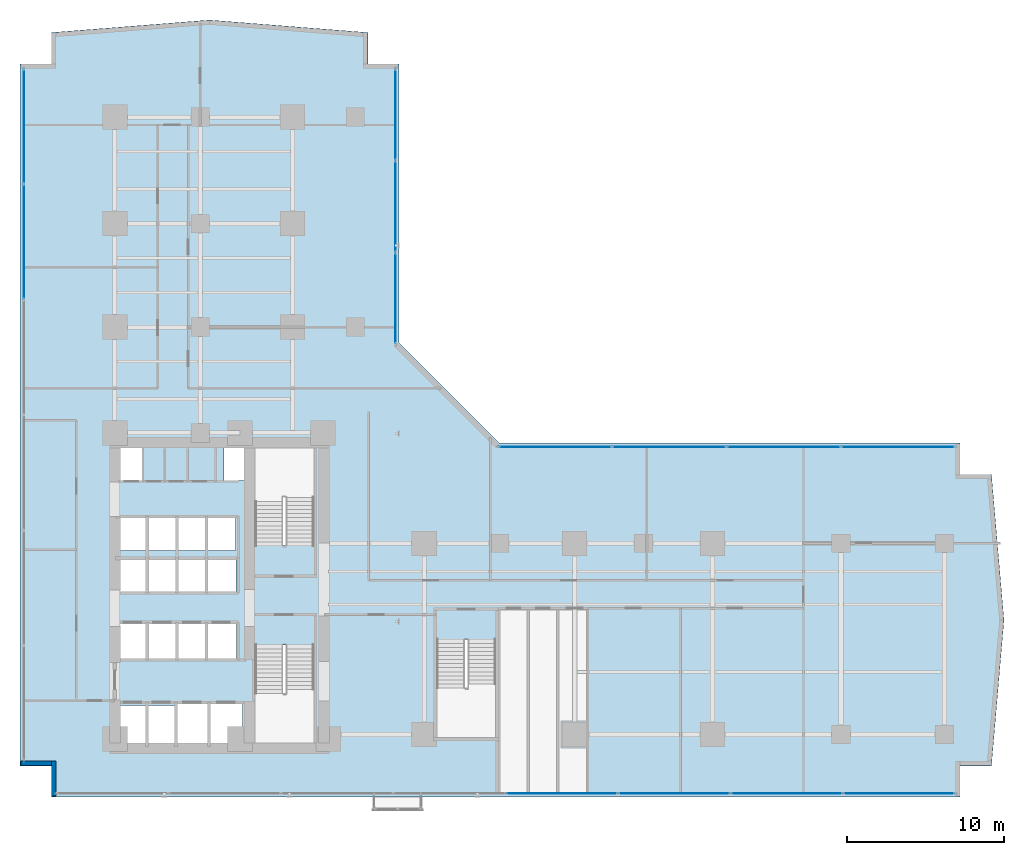
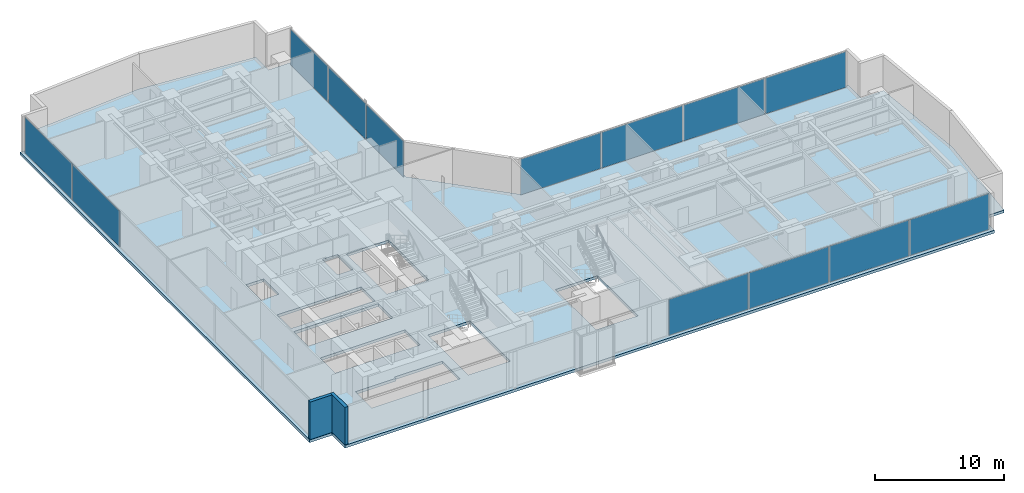
# One storey, part 21 of 28: 13 plates, 2 walls, 1 slab, 4 elements without a shape of their own.
"""IFC4 building model written with IfcOpenShell, lengths in metres."""

from ifc_helpers import new_model, si_unit, direction, frame, frame_2d, origin, origin_with_axes, origin_2d, place, context, subcontext, project, spatial, polyline, rectangle, outline, extrude, source, transform, mapped, material, layer, layer_set, type_object, element, aggregate, save


model = new_model("IFC4")

# Units and contexts
model_context = context("Model", 3, precision=1e-05, world=origin(), true_north=direction((0.0, 1.0)))
body_context = subcontext(model_context, "Body", "Model", "MODEL_VIEW")
ifc_project = project(units=[si_unit("LENGTHUNIT", "METRE"), si_unit("AREAUNIT", "SQUARE_METRE"), si_unit("VOLUMEUNIT", "CUBIC_METRE"), si_unit("PLANEANGLEUNIT", "RADIAN"), si_unit("MASSUNIT", "GRAM", prefix="KILO")], contexts=[model_context])

# Site, building, storey
site_placement = place(None, origin())
site = spatial("IfcSite", under=ifc_project, at=site_placement, CompositionType="ELEMENT")
building_placement = place(site_placement, origin())
building = spatial("IfcBuilding", under=site, at=building_placement, Name="Kolvaren Waterfront Exchange", CompositionType="ELEMENT")
storey_placement = place(building_placement, frame((0.0, 0.0, 75.199951171875)))
storey = spatial("IfcBuildingStorey", under=building, at=storey_placement, Name="L19", CompositionType="ELEMENT", Elevation=75.199951171875)

# Slab
ifc_material_1 = material(Name="Concrete C40/50", Category="concrete")
ifc_layer_1 = layer(ifc_material_1, 0.260009765625, Name="Concrete C40/50")
ifc_layer_set_1 = layer_set([ifc_layer_1], Name="Concrete C40/50")
slab_type = type_object("IfcSlabType", Name="STR-SLAB-260", PredefinedType="FLOOR", material=ifc_layer_set_1)
slab_placement = place(storey_placement, frame((0.0, 0.0, -0.260009765625)))
element("IfcSlab", 1, at=slab_placement, inside=storey, type_object=slab_type, Name="L19 structural floor slab", PredefinedType="FLOOR", context=body_context, shape_type="SweptSolid", body=[
    extrude(outline(polyline([(3.39990234375, 1.199951171875), (61.39990234375, 1.199951171875), (61.39990234375, 3.199951171875), (63.39990234375, 3.199951171875), (64.199951171875, 12.5), (63.39990234375, 21.800048828125), (61.39990234375, 21.800048828125), (61.39990234375, 23.800048828125), (32.0, 23.800048828125), (25.60009765625, 30.199951171875), (25.60009765625, 48.0), (23.60009765625, 48.0), (23.60009765625, 50.0), (13.5, 50.800048828125), (3.39990234375, 50.0), (3.39990234375, 48.0), (1.39990234375, 48.0), (1.39990234375, 3.199951171875), (3.39990234375, 3.199951171875), (3.39990234375, 1.199951171875)]), holes=[polyline([(11.320068359375, 7.260009765625), (15.610107421875, 7.260009765625), (15.610107421875, 4.5400390625), (7.719970703125, 4.5400390625), (7.719970703125, 7.06005859375), (11.320068359375, 7.06005859375), (11.320068359375, 7.260009765625)]), polyline([(20.159912109375, 4.64990234375), (16.39990234375, 4.64990234375), (16.39990234375, 10.89990234375), (20.159912109375, 10.89990234375), (20.159912109375, 4.64990234375)]), polyline([(31.760009765625, 5.0), (28.0, 5.0), (28.0, 11.25), (31.760009765625, 11.25), (31.760009765625, 5.0)]), polyline([(15.2099609375, 10.0400390625), (7.6201171875, 10.0400390625), (7.6201171875, 12.360107421875), (15.2099609375, 12.360107421875), (15.2099609375, 10.0400390625)]), polyline([(7.64501953125, 16.4599609375), (15.18505859375, 16.4599609375), (15.18505859375, 14.239990234375), (7.64501953125, 14.239990234375), (7.64501953125, 16.4599609375)]), polyline([(15.159912109375, 16.93994140625), (7.669921875, 16.93994140625), (7.669921875, 19.06005859375), (15.159912109375, 19.06005859375), (15.159912109375, 16.93994140625)]), polyline([(16.39990234375, 23.5), (20.159912109375, 23.5), (20.159912109375, 17.25), (16.39990234375, 17.25), (16.39990234375, 23.5)]), polyline([(7.60009765625, 23.780029296875), (9.179931640625, 23.780029296875), (9.179931640625, 21.419921875), (7.60009765625, 21.419921875), (7.60009765625, 23.780029296875)]), polyline([(15.800048828125, 23.780029296875), (15.800048828125, 21.419921875), (14.419921875, 21.419921875), (14.419921875, 23.780029296875), (15.800048828125, 23.780029296875)])]), origin(), (0.0, 0.0, 1.0), 0.260009765625),
])

# Curtain wall, plates
ifc_material_2 = material(Name="Anodised bronze aluminium 6063-T6", Category="aluminium")
ifc_layer_2 = layer(ifc_material_2, 0.219970703125, Name="Anodised bronze aluminium 6063-T6")
ifc_layer_set_2 = layer_set([ifc_layer_2], Name="Anodised bronze aluminium 6063-T6")
curtain_wall_type_1 = type_object("IfcCurtainWallType", Name="ARC-CW-SYS1", PredefinedType="USERDEFINED", material=ifc_layer_set_2)
curtain_wall_1_placement = place(storey_placement, origin())
curtain_wall_1 = element("IfcCurtainWall", 2, at=curtain_wall_1_placement, inside=storey, type_object=curtain_wall_type_1, Name="L19 stick curtain wall CW1 (CW-L19-S)", ObjectType="STICK CURTAIN WALL", PredefinedType="USERDEFINED")
ifc_material_3 = material(Name="Bronze solar control vision glass", Category="aluminium")
ifc_layer_3 = layer(ifc_material_3, 0.028076171875, Name="Bronze solar control vision glass")
ifc_layer_set_3 = layer_set([ifc_layer_3], Name="Bronze solar control vision glass")
plate_type_1 = type_object("IfcPlateType", Name="ARC-CWP-28", PredefinedType="CURTAIN_PANEL", material=ifc_layer_set_3)
shared_shape_1 = source(origin_with_axes(), body_context, "Body", "SweptSolid", [
    extrude(rectangle(XDim=7.054931640625, YDim=0.028076171875, at=origin_2d()), origin(), (0.0, 0.0, 1.0), 3.389892578125),
])
plate_1_placement = place(storey_placement, frame((57.492431640625, 1.43994140625, 0.0751953125), z_axis=(0.0, 0.0, 1.0), x_axis=(1.0, 0.0, 0.0)))
plate_1 = element("IfcPlate", 3, at=plate_1_placement, type_object=plate_type_1, Name="CW1 panel 8.1", PredefinedType="CURTAIN_PANEL", context=body_context, shape_type="MappedRepresentation", body=[
    mapped(shared_shape_1, transform((0.0, 0.0, 0.0), x_axis=(1.0, 0.0, 0.0), y_axis=(0.0, 1.0, 0.0), z_axis=(0.0, 0.0, 1.0), scale=1.0)),
])
shared_shape_2 = source(origin_with_axes(), body_context, "Body", "SweptSolid", [
    extrude(rectangle(XDim=7.094970703125, YDim=0.028076171875, at=origin_2d()), origin(), (0.0, 0.0, 1.0), 3.389892578125),
])
plate_2_placement = place(storey_placement, frame((35.987548828125, 1.43994140625, 0.0751953125), z_axis=(0.0, 0.0, 1.0), x_axis=(1.0, 0.0, 0.0)))
plate_2 = element("IfcPlate", 4, at=plate_2_placement, type_object=plate_type_1, Name="CW1 panel 5.1", PredefinedType="CURTAIN_PANEL", context=body_context, shape_type="MappedRepresentation", body=[
    mapped(shared_shape_2, transform((0.0, 0.0, 0.0), x_axis=(1.0, 0.0, 0.0), y_axis=(0.0, 1.0, 0.0), z_axis=(0.0, 0.0, 1.0), scale=1.0)),
])
plate_3_placement = place(storey_placement, frame((43.16259765625, 1.43994140625, 0.0751953125), z_axis=(0.0, 0.0, 1.0), x_axis=(1.0, 0.0, 0.0)))
plate_3 = element("IfcPlate", 5, at=plate_3_placement, type_object=plate_type_1, Name="CW1 panel 6.1", PredefinedType="CURTAIN_PANEL", context=body_context, shape_type="MappedRepresentation", body=[
    mapped(shared_shape_2, transform((0.0, 0.0, 0.0), x_axis=(1.0, 0.0, 0.0), y_axis=(0.0, 1.0, 0.0), z_axis=(0.0, 0.0, 1.0), scale=1.0)),
])
plate_4_placement = place(storey_placement, frame((50.33740234375, 1.43994140625, 0.0751953125), z_axis=(0.0, 0.0, 1.0), x_axis=(1.0, 0.0, 0.0)))
plate_4 = element("IfcPlate", 6, at=plate_4_placement, type_object=plate_type_1, Name="CW1 panel 7.1", PredefinedType="CURTAIN_PANEL", context=body_context, shape_type="MappedRepresentation", body=[
    mapped(shared_shape_2, transform((0.0, 0.0, 0.0), x_axis=(1.0, 0.0, 0.0), y_axis=(0.0, 1.0, 0.0), z_axis=(0.0, 0.0, 1.0), scale=1.0)),
])
aggregate(curtain_wall_1, [plate_2, plate_3, plate_4, plate_1])

ifc_material_4 = material(Name="Anodised aluminium 6063-T6", Category="aluminium")
ifc_layer_4 = layer(ifc_material_4, 0.219970703125, Name="Anodised aluminium 6063-T6")
ifc_layer_set_4 = layer_set([ifc_layer_4], Name="Anodised aluminium 6063-T6")
curtain_wall_type_2 = type_object("IfcCurtainWallType", Name="ARC-CW-SYS2", PredefinedType="USERDEFINED", material=ifc_layer_set_4)
curtain_wall_2_placement = place(storey_placement, origin())
curtain_wall_2 = element("IfcCurtainWall", 7, at=curtain_wall_2_placement, inside=storey, type_object=curtain_wall_type_2, Name="L19 stick curtain wall CW2 (CW-L19-W)", ObjectType="STICK CURTAIN WALL", PredefinedType="USERDEFINED")
ifc_material_5 = material(Name="Acoustic laminated vision glass", Category="glass")
ifc_layer_5 = layer(ifc_material_5, 0.031982421875, Name="Acoustic laminated vision glass")
ifc_layer_set_5 = layer_set([ifc_layer_5], Name="Acoustic laminated vision glass")
plate_type_2 = type_object("IfcPlateType", Name="ARC-CWP-32", PredefinedType="CURTAIN_PANEL", material=ifc_layer_set_5)
shared_shape_3 = source(origin_with_axes(), body_context, "Body", "SweptSolid", [
    extrude(rectangle(XDim=7.24658203125, YDim=0.031982421875, at=origin_2d()), origin(), (0.0, 0.0, 1.0), 3.389892578125),
])
plate_5_placement = place(storey_placement, frame((1.639892578125, 43.99658203125, 0.0751953125), z_axis=(0.0, 0.0, 1.0), x_axis=(0.0, 1.0, 0.0)))
plate_5 = element("IfcPlate", 8, at=plate_5_placement, type_object=plate_type_2, Name="CW2 panel 6.1", PredefinedType="CURTAIN_PANEL", context=body_context, shape_type="MappedRepresentation", body=[
    mapped(shared_shape_3, transform((0.0, 0.0, 0.0), x_axis=(1.0, 0.0, 0.0), y_axis=(0.0, 1.0, 0.0), z_axis=(0.0, 0.0, 1.0), scale=1.0)),
])
shared_shape_4 = source(origin_with_axes(), body_context, "Body", "SweptSolid", [
    extrude(rectangle(XDim=7.28662109375, YDim=0.031982421875, at=origin_2d()), origin(), (0.0, 0.0, 1.0), 3.389892578125),
])
plate_6_placement = place(storey_placement, frame((1.639892578125, 36.64990234375, 0.0751953125), z_axis=(0.0, 0.0, 1.0), x_axis=(0.0, 1.0, 0.0)))
plate_6 = element("IfcPlate", 9, at=plate_6_placement, type_object=plate_type_2, Name="CW2 panel 5.1", PredefinedType="CURTAIN_PANEL", context=body_context, shape_type="MappedRepresentation", body=[
    mapped(shared_shape_4, transform((0.0, 0.0, 0.0), x_axis=(1.0, 0.0, 0.0), y_axis=(0.0, 1.0, 0.0), z_axis=(0.0, 0.0, 1.0), scale=1.0)),
])
aggregate(curtain_wall_2, [plate_6, plate_5])

curtain_wall_3_placement = place(storey_placement, origin())
curtain_wall_3 = element("IfcCurtainWall", 10, at=curtain_wall_3_placement, inside=storey, type_object=curtain_wall_type_1, Name="L19 stick curtain wall CW1 (CW-L19-NE)", ObjectType="STICK CURTAIN WALL", PredefinedType="USERDEFINED")
shared_shape_5 = source(origin_with_axes(), body_context, "Body", "SweptSolid", [
    extrude(rectangle(XDim=5.75, YDim=0.028076171875, at=origin_2d()), origin(), (0.0, 0.0, 1.0), 3.389892578125),
])
plate_7_placement = place(storey_placement, frame((25.360107421875, 33.044921875, 0.0751953125), z_axis=(0.0, 0.0, 1.0), x_axis=(0.0, 1.0, 0.0)))
plate_7 = element("IfcPlate", 11, at=plate_7_placement, type_object=plate_type_1, Name="CW1 panel 1.1", PredefinedType="CURTAIN_PANEL", context=body_context, shape_type="MappedRepresentation", body=[
    mapped(shared_shape_5, transform((0.0, 0.0, 0.0), x_axis=(1.0, 0.0, 0.0), y_axis=(0.0, 1.0, 0.0), z_axis=(0.0, 0.0, 1.0), scale=1.0)),
])
plate_8_placement = place(storey_placement, frame((25.360107421875, 44.7451171875, 0.0751953125), z_axis=(0.0, 0.0, 1.0), x_axis=(0.0, 1.0, 0.0)))
plate_8 = element("IfcPlate", 12, at=plate_8_placement, type_object=plate_type_1, Name="CW1 panel 3.1", PredefinedType="CURTAIN_PANEL", context=body_context, shape_type="MappedRepresentation", body=[
    mapped(shared_shape_5, transform((0.0, 0.0, 0.0), x_axis=(1.0, 0.0, 0.0), y_axis=(0.0, 1.0, 0.0), z_axis=(0.0, 0.0, 1.0), scale=1.0)),
])
shared_shape_6 = source(origin_with_axes(), body_context, "Body", "SweptSolid", [
    extrude(rectangle(XDim=5.7900390625, YDim=0.028076171875, at=origin_2d()), origin(), (0.0, 0.0, 1.0), 3.389892578125),
])
plate_9_placement = place(storey_placement, frame((25.360107421875, 38.89501953125, 0.0751953125), z_axis=(0.0, 0.0, 1.0), x_axis=(0.0, 1.0, 0.0)))
plate_9 = element("IfcPlate", 13, at=plate_9_placement, type_object=plate_type_1, Name="CW1 panel 2.1", PredefinedType="CURTAIN_PANEL", context=body_context, shape_type="MappedRepresentation", body=[
    mapped(shared_shape_6, transform((0.0, 0.0, 0.0), x_axis=(1.0, 0.0, 0.0), y_axis=(0.0, 1.0, 0.0), z_axis=(0.0, 0.0, 1.0), scale=1.0)),
])
aggregate(curtain_wall_3, [plate_7, plate_9, plate_8])

curtain_wall_4_placement = place(storey_placement, origin())
curtain_wall_4 = element("IfcCurtainWall", 14, at=curtain_wall_4_placement, inside=storey, type_object=curtain_wall_type_1, Name="L19 stick curtain wall CW1 (CW-L19-EN)", ObjectType="STICK CURTAIN WALL", PredefinedType="USERDEFINED")
shared_shape_7 = source(origin_with_axes(), body_context, "Body", "SweptSolid", [
    extrude(rectangle(XDim=7.1826171875, YDim=0.028076171875, at=origin_2d()), origin(), (0.0, 0.0, 1.0), 3.389892578125),
])
plate_10_placement = place(storey_placement, frame((35.561279296875, 23.56005859375, 0.0751953125), z_axis=(0.0, 0.0, 1.0), x_axis=(1.0, 0.0, 0.0)))
plate_10 = element("IfcPlate", 15, at=plate_10_placement, type_object=plate_type_1, Name="CW1 panel 1.1", PredefinedType="CURTAIN_PANEL", context=body_context, shape_type="MappedRepresentation", body=[
    mapped(shared_shape_7, transform((0.0, 0.0, 0.0), x_axis=(1.0, 0.0, 0.0), y_axis=(0.0, 1.0, 0.0), z_axis=(0.0, 0.0, 1.0), scale=1.0)),
])
plate_11_placement = place(storey_placement, frame((57.4287109375, 23.56005859375, 0.0751953125), z_axis=(0.0, 0.0, 1.0), x_axis=(1.0, 0.0, 0.0)))
plate_11 = element("IfcPlate", 16, at=plate_11_placement, type_object=plate_type_1, Name="CW1 panel 4.1", PredefinedType="CURTAIN_PANEL", context=body_context, shape_type="MappedRepresentation", body=[
    mapped(shared_shape_7, transform((0.0, 0.0, 0.0), x_axis=(1.0, 0.0, 0.0), y_axis=(0.0, 1.0, 0.0), z_axis=(0.0, 0.0, 1.0), scale=1.0)),
])
shared_shape_8 = source(origin_with_axes(), body_context, "Body", "SweptSolid", [
    extrude(rectangle(XDim=7.222412109375, YDim=0.028076171875, at=origin_2d()), origin(), (0.0, 0.0, 1.0), 3.389892578125),
])
plate_12_placement = place(storey_placement, frame((42.84375, 23.56005859375, 0.0751953125), z_axis=(0.0, 0.0, 1.0), x_axis=(1.0, 0.0, 0.0)))
plate_12 = element("IfcPlate", 17, at=plate_12_placement, type_object=plate_type_1, Name="CW1 panel 2.1", PredefinedType="CURTAIN_PANEL", context=body_context, shape_type="MappedRepresentation", body=[
    mapped(shared_shape_8, transform((0.0, 0.0, 0.0), x_axis=(1.0, 0.0, 0.0), y_axis=(0.0, 1.0, 0.0), z_axis=(0.0, 0.0, 1.0), scale=1.0)),
])
plate_13_placement = place(storey_placement, frame((50.146240234375, 23.56005859375, 0.0751953125), z_axis=(0.0, 0.0, 1.0), x_axis=(1.0, 0.0, 0.0)))
plate_13 = element("IfcPlate", 18, at=plate_13_placement, type_object=plate_type_1, Name="CW1 panel 3.1", PredefinedType="CURTAIN_PANEL", context=body_context, shape_type="MappedRepresentation", body=[
    mapped(shared_shape_8, transform((0.0, 0.0, 0.0), x_axis=(1.0, 0.0, 0.0), y_axis=(0.0, 1.0, 0.0), z_axis=(0.0, 0.0, 1.0), scale=1.0)),
])
aggregate(curtain_wall_4, [plate_10, plate_12, plate_13, plate_11])

# Walls
ifc_material_6 = material(Name="Precast concrete C40/50", Category="concrete")
ifc_layer_6 = layer(ifc_material_6, 0.280029296875, Name="Precast concrete C40/50")
ifc_layer_set_6 = layer_set([ifc_layer_6], Name="Precast concrete C40/50")
wall_type = type_object("IfcWallType", Name="ARC-EXT-TERR-280", PredefinedType="SOLIDWALL", material=ifc_layer_set_6)
wall_1_placement = place(storey_placement, frame((3.56005859375, 1.260009765625, 0.0), z_axis=(0.0, 0.0, 1.0), x_axis=(0.0, 1.0, 0.0)))
element("IfcWall", 19, at=wall_1_placement, inside=storey, type_object=wall_type, Name="L19 notched corner spandrel pier SW-A", PredefinedType="SOLIDWALL", context=body_context, shape_type="SweptSolid", body=[
    extrude(rectangle(XDim=2.239990234375, YDim=0.280029296875, at=frame_2d((1.1201171875, 0.0))), origin(), (0.0, 0.0, 1.0), 3.5400390625),
])
wall_2_placement = place(storey_placement, frame((1.4599609375, 3.360107421875, 0.0), z_axis=(0.0, 0.0, 1.0), x_axis=(1.0, 0.0, 0.0)))
element("IfcWall", 20, at=wall_2_placement, inside=storey, type_object=wall_type, Name="L19 notched corner spandrel pier SW-B", PredefinedType="SOLIDWALL", context=body_context, shape_type="SweptSolid", body=[
    extrude(rectangle(XDim=1.9599609375, YDim=0.280029296875, at=frame_2d((0.97998046875, 0.0))), origin(), (0.0, 0.0, 1.0), 3.5400390625),
])

save(model, "model.ifc")
